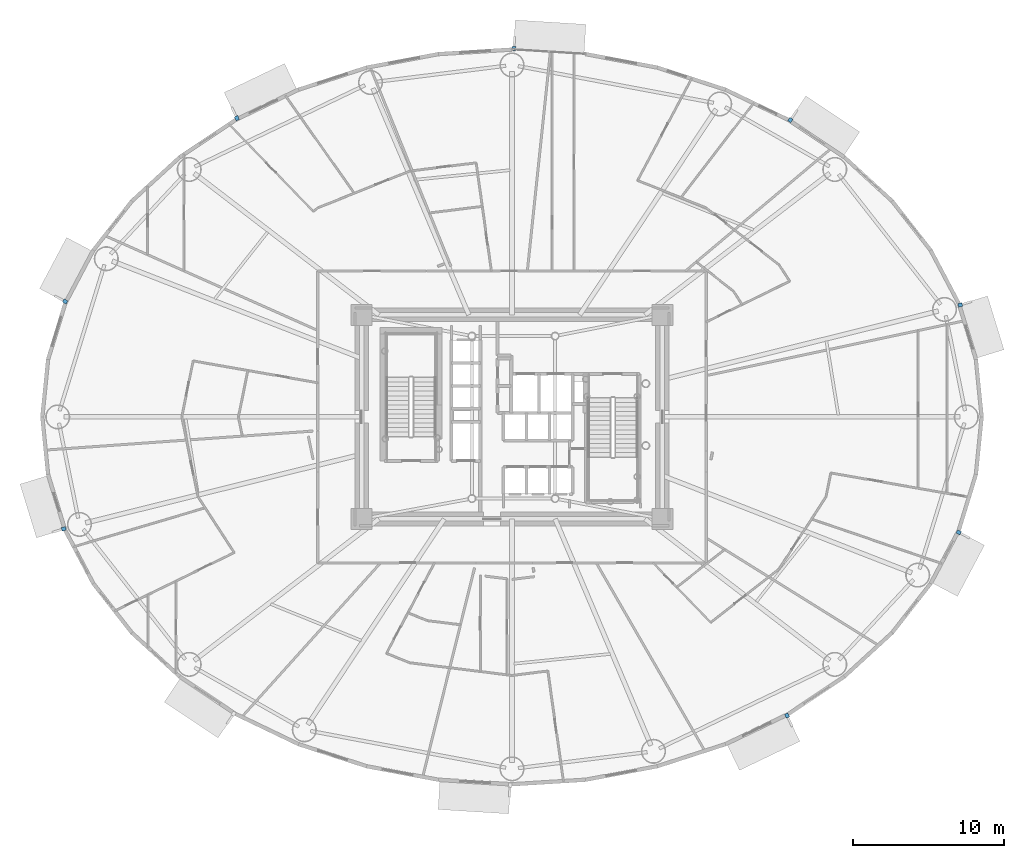
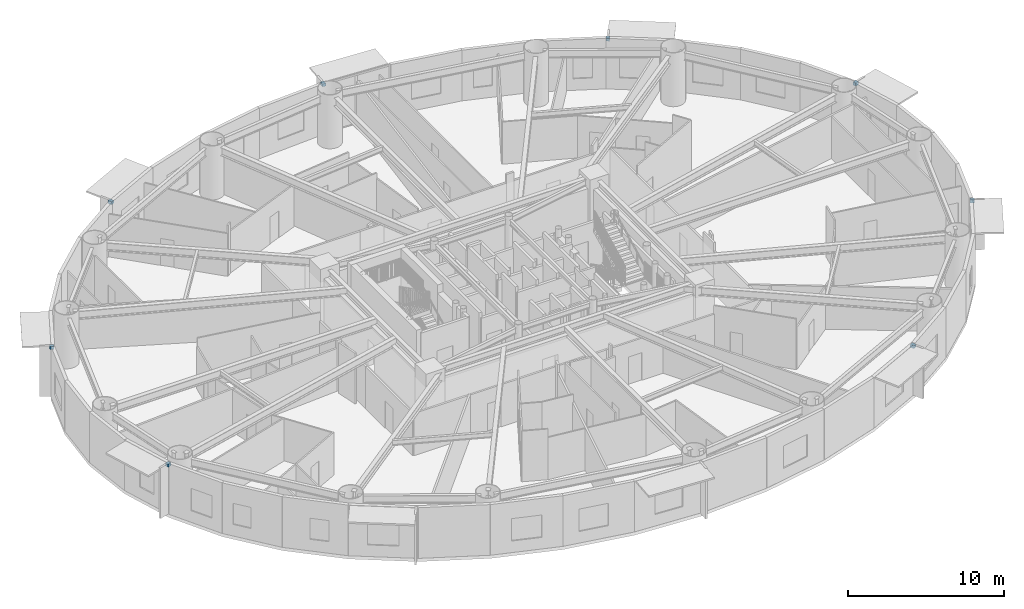
# One storey, part 14 of 21: 8 discrete accessories.
"""IFC4 building model written with IfcOpenShell, lengths in metres."""

from ifc_helpers import new_model, si_unit, direction, frame, origin, origin_2d, place, context, subcontext, project, spatial, rectangle, extrude, source, transform, mapped, material, type_object, element, save


model = new_model("IFC4")

# Units and contexts
model_context = context("Model", 3, precision=1e-05, world=origin(), true_north=direction((0.0, 1.0)))
body_context = subcontext(model_context, "Body", "Model", "MODEL_VIEW")
ifc_project = project(units=[si_unit("LENGTHUNIT", "METRE"), si_unit("AREAUNIT", "SQUARE_METRE"), si_unit("VOLUMEUNIT", "CUBIC_METRE"), si_unit("PLANEANGLEUNIT", "RADIAN"), si_unit("MASSUNIT", "GRAM", prefix="KILO")], contexts=[model_context])

# Site, building, storey
site_placement = place(None, origin())
site = spatial("IfcSite", under=ifc_project, at=site_placement, CompositionType="ELEMENT")
building_placement = place(site_placement, origin())
building = spatial("IfcBuilding", under=site, at=building_placement, Name="Linh Dai School and Residence Tower", CompositionType="ELEMENT")
storey_placement = place(building_placement, frame((0.0, 0.0, 61.800048828125)))
storey = spatial("IfcBuildingStorey", under=building, at=storey_placement, Name="L14", CompositionType="ELEMENT", Elevation=61.800048828125)

# Discrete accessories
ifc_material = material(Name="Structural Steel S355JR", Category="steel")
discrete_accessory_type = type_object("IfcDiscreteAccessoryType", Name="ACC-BRK-S355", PredefinedType="BRACKET", material=ifc_material)
shared_shape = source(origin(), body_context, "Body", "SweptSolid", [
    extrude(rectangle(XDim=0.280029296875, YDim=0.239990234375, at=origin_2d()), origin(), (0.0, 0.0, 1.0), 0.219970703125),
])
for number, where, z_axis, x_axis, name in (
    (1, (65.650146484375, 34.404296875, 3.7001953125), (0.0, 0.0, 1.0), (0.956067769001, 0.293145733514, 0.0), "L14 Facade Frame Anchor Bracket 02"),
    (2, (54.41015625, 46.638916015625, 3.7001953125), (0.0, 0.0, 1.0), (0.555897899828, 0.831250578927, 0.0), "L14 Facade Frame Anchor Bracket 06"),
    (3, (36.12353515625, 51.357421875, 3.7001953125), (0.0, 0.0, 1.0), (0.061506595367, 0.998106677027, 0.0), "L14 Facade Frame Anchor Bracket 10"),
    (4, (17.80517578125, 46.76171875, 3.7001953125), (0.0, 0.0, 1.0), (-0.432603008528, 0.901584514626, 0.0), "L14 Facade Frame Anchor Bracket 14"),
    (5, (6.445556640625, 34.635498046875, 3.7001953125), (0.0, 0.0, 1.0), (-0.883933862645, 0.467611940042, 0.0), "L14 Facade Frame Anchor Bracket 18"),
    (6, (6.349853515625, 19.595703125, 3.7001953125), (0.0, 0.0, 1.0), (-0.956067769001, -0.293145733514, 0.0), "L14 Facade Frame Anchor Bracket 22"),
    (7, (54.19482421875, 7.23828125, 3.7001953125), (0.0, 0.0, 1.0), (0.432603008528, -0.901584514626, 0.0), "L14 Facade Frame Anchor Bracket 34"),
    (8, (65.554443359375, 19.364501953125, 3.7001953125), (0.0, 0.0, 1.0), (0.883933862645, -0.467611940042, 0.0), "L14 Facade Frame Anchor Bracket 38"),
):
    element("IfcDiscreteAccessory", number, at=place(storey_placement, frame(where, z_axis=z_axis, x_axis=x_axis)), inside=storey, type_object=discrete_accessory_type, Name=name, PredefinedType="BRACKET", context=body_context, shape_type="MappedRepresentation", body=[
        mapped(shared_shape, transform((0.0, 0.0, 0.0), x_axis=(1.0, 0.0, 0.0), y_axis=(0.0, 1.0, 0.0), z_axis=(0.0, 0.0, 1.0), scale=1.0)),
    ])

save(model, "model.ifc")
